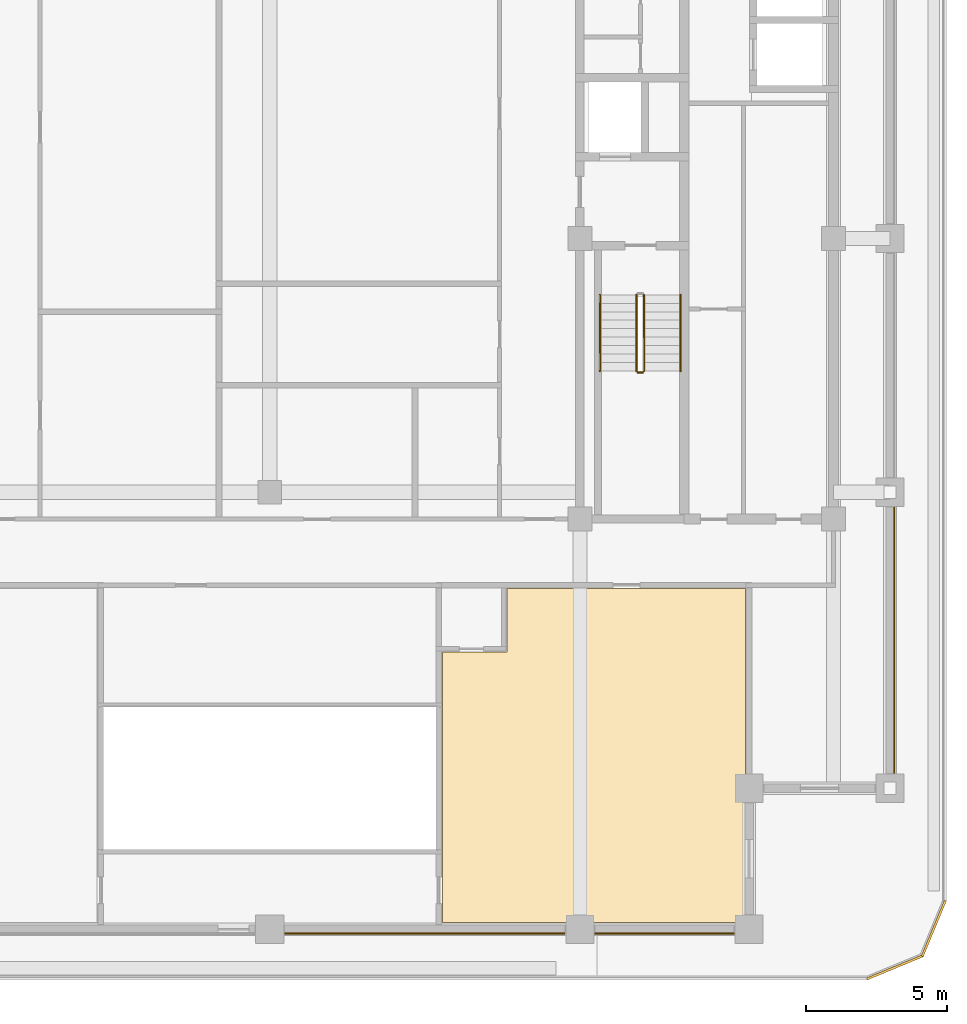
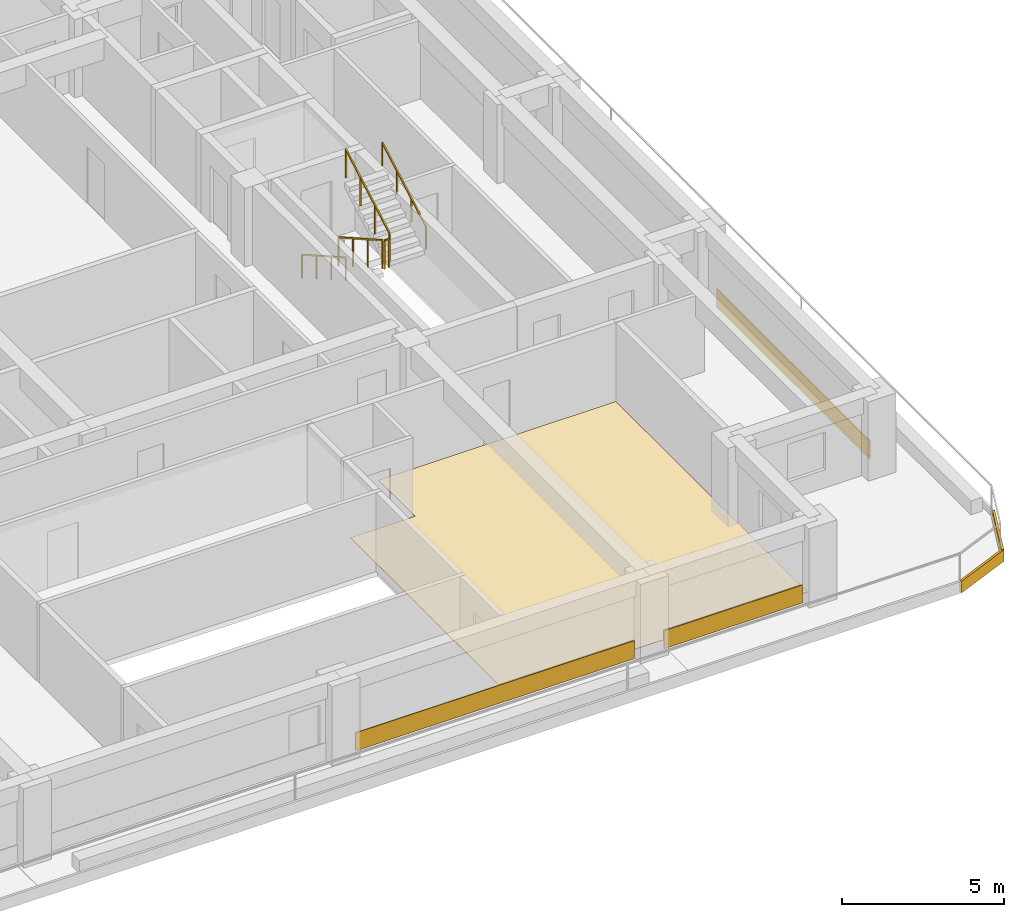
# One storey, part 11 of 13: 6 coverings, 5 railings.
"""IFC4 building model written with IfcOpenShell, lengths in metres."""

from ifc_helpers import new_model, si_unit, direction, frame, frame_2d, origin, origin_2d, place, context, subcontext, project, spatial, polyline, rectangle, outline, extrude, material, layer, layer_set, type_object, element, save


model = new_model("IFC4")

# Units and contexts
model_context = context("Model", 3, precision=1e-05, world=origin(), true_north=direction((0.0, 1.0)))
body_context = subcontext(model_context, "Body", "Model", "MODEL_VIEW")
ifc_project = project(units=[si_unit("LENGTHUNIT", "METRE"), si_unit("AREAUNIT", "SQUARE_METRE"), si_unit("VOLUMEUNIT", "CUBIC_METRE"), si_unit("PLANEANGLEUNIT", "RADIAN"), si_unit("MASSUNIT", "GRAM", prefix="KILO")], contexts=[model_context])

# Site, building, storey
site_placement = place(None, origin())
site = spatial("IfcSite", under=ifc_project, at=site_placement, CompositionType="ELEMENT")
building_placement = place(site_placement, origin())
building = spatial("IfcBuilding", under=site, at=building_placement, Name="Zulmaris Gate Convention Tower", CompositionType="ELEMENT")
storey_placement = place(building_placement, frame((0.0, 0.0, 218.659912109375)))
storey = spatial("IfcBuildingStorey", under=building, at=storey_placement, Name="L57", CompositionType="ELEMENT", Elevation=218.659912109375)

# Coverings
ifc_material_1 = material(Name="Precast concrete C40/50", Category="concrete")
ifc_layer_1 = layer(ifc_material_1, 0.0400390625, Name="Precast concrete C40/50")
ifc_layer_set_1 = layer_set([ifc_layer_1], Name="Precast concrete C40/50")
covering_type_1 = type_object("IfcCoveringType", Name="CLAD-SPANDREL-PRECAST", PredefinedType="CLADDING", material=ifc_layer_set_1)
covering_1_placement = place(storey_placement, frame((0.530029296875, -24.64990234375, 0.0), z_axis=(0.0, 0.0, 1.0), x_axis=(1.0, 0.0, 0.0)))
element("IfcCovering", 1, at=covering_1_placement, inside=storey, type_object=covering_type_1, Name="CLD-L57-S-2_0", PredefinedType="CLADDING", context=body_context, shape_type="SweptSolid", body=[
    extrude(rectangle(XDim=9.93994140625, YDim=0.0400390625, at=frame_2d((4.969970703125, 0.0))), origin(), (0.0, 0.0, 1.0), 0.679931640625),
])
covering_2_placement = place(storey_placement, frame((11.530029296875, -24.64990234375, 0.0), z_axis=(0.0, 0.0, 1.0), x_axis=(1.0, 0.0, 0.0)))
element("IfcCovering", 2, at=covering_2_placement, inside=storey, type_object=covering_type_1, Name="CLD-L57-S-3_0", PredefinedType="CLADDING", context=body_context, shape_type="SweptSolid", body=[
    extrude(rectangle(XDim=4.93994140625, YDim=0.0400390625, at=frame_2d((2.469970703125, 0.0))), origin(), (0.0, 0.0, 1.0), 0.679931640625),
])
covering_3_placement = place(storey_placement, frame((22.14990234375, -18.969970703125, 0.0), z_axis=(0.0, 0.0, 1.0), x_axis=(0.0, 1.0, 0.0)))
element("IfcCovering", 3, at=covering_3_placement, inside=storey, type_object=covering_type_1, Name="CLD-L57-E-0_0", PredefinedType="CLADDING", context=body_context, shape_type="SweptSolid", body=[
    extrude(rectangle(XDim=9.43994140625, YDim=0.0400390625, at=frame_2d((4.719970703125, 0.0))), origin(), (0.0, 0.0, 1.0), 0.679931640625),
])
ifc_material_2 = material(Name="White Glazed Architectural Precast Concrete C40/50", Category="concrete")
ifc_layer_2 = layer(ifc_material_2, 0.080078125, Name="White Glazed Architectural Precast Concrete C40/50")
ifc_layer_set_2 = layer_set([ifc_layer_2], Name="White Glazed Architectural Precast Concrete C40/50")
covering_type_2 = type_object("IfcCoveringType", Name="CLAD-TRAY-FASCIA", PredefinedType="CLADDING", material=ifc_layer_set_2)
covering_4_placement = place(storey_placement, frame((21.184814453125, -26.262939453125, -0.2900390625), z_axis=(0.0, 0.0, 1.0), x_axis=(0.923873803533, 0.382697263049, 0.0)))
element("IfcCovering", 4, at=covering_4_placement, inside=storey, type_object=covering_type_2, Name="FSC-L57-TR-03", PredefinedType="CLADDING", context=body_context, shape_type="SweptSolid", body=[
    extrude(rectangle(XDim=2.142822265625, YDim=0.080078125, at=frame_2d((1.0712890625, 0.0))), origin(), (0.0, 0.0, 1.0), 0.43994140625),
])
covering_5_placement = place(storey_placement, frame((23.142822265625, -25.464599609375, -0.2900390625), z_axis=(0.0, 0.0, 1.0), x_axis=(0.382656984709, 0.923890487046, 0.0)))
element("IfcCovering", 5, at=covering_5_placement, inside=storey, type_object=covering_type_2, Name="FSC-L57-TR-04", PredefinedType="CLADDING", context=body_context, shape_type="SweptSolid", body=[
    extrude(rectangle(XDim=2.14306640625, YDim=0.080078125, at=frame_2d((1.071533203125, 0.0))), origin(), (0.0, 0.0, 1.0), 0.43994140625),
])
ifc_material_3 = material(Name="Engineered Teak Parquet Flooring")
ifc_layer_3 = layer(ifc_material_3, 0.02001953125, Name="Engineered Teak Parquet Flooring")
ifc_layer_set_3 = layer_set([ifc_layer_3], Name="Engineered Teak Parquet Flooring")
covering_type_3 = type_object("IfcCoveringType", Name="FLR-TIMBER-18", PredefinedType="FLOORING", material=ifc_layer_set_3)
covering_6_placement = place(storey_placement, origin())
element("IfcCovering", 6, at=covering_6_placement, inside=storey, type_object=covering_type_3, Name="FLR-L57-R47", PredefinedType="FLOORING", context=body_context, shape_type="SweptSolid", body=[
    extrude(outline(polyline([(6.1201171875, -24.260009765625), (16.8798828125, -24.260009765625), (16.8798828125, -12.419921875), (8.419921875, -12.419921875), (8.419921875, -14.669921875), (6.1201171875, -14.669921875), (6.1201171875, -24.260009765625)])), origin(), (0.0, 0.0, 1.0), 0.02001953125),
])

# Railings
ifc_material_4 = material(Name="Painted Galvanised Steel", Category="steel")
railing_type_1 = type_object("IfcRailingType", Name="RL-STG-1150", PredefinedType="GUARDRAIL", material=ifc_material_4)
railing_1_placement = place(storey_placement, frame((13.010009765625, -2.0, 0.169921875)))
element("IfcRailing", 7, at=railing_1_placement, inside=storey, type_object=railing_type_1, Name="L57 ST-2 stair guard 1", PredefinedType="GUARDRAIL", context=body_context, shape_type="SweptSolid", body=[
    extrude(rectangle(XDim=0.048095703125, YDim=0.048095703125, at=origin_2d()), frame((0.0, 0.0, 1.076171875), z_axis=(0.0, -0.869980566543, 0.493086010588), x_axis=(1.0, 0.0, 0.0)), (0.0, 0.0, 1.0), 3.103515625),
    extrude(rectangle(XDim=0.0419921875, YDim=0.0419921875, at=origin_2d()), origin(), (0.0, 0.0, 1.0), 1.052001953125),
    extrude(rectangle(XDim=0.0419921875, YDim=0.0419921875, at=origin_2d()), frame((0.0, -0.89990234375, 0.510009765625)), (0.0, 0.0, 1.0), 1.052001953125),
    extrude(rectangle(XDim=0.0419921875, YDim=0.0419921875, at=origin_2d()), frame((0.0, -1.800048828125, 1.020263671875)), (0.0, 0.0, 1.0), 1.052001953125),
    extrude(rectangle(XDim=0.0419921875, YDim=0.0419921875, at=origin_2d()), frame((0.0, -2.699951171875, 1.5302734375)), (0.0, 0.0, 1.0), 1.052001953125),
])
railing_2_placement = place(storey_placement, frame((13.06005859375, -4.75, 1.7001953125)))
element("IfcRailing", 8, at=railing_2_placement, inside=storey, type_object=railing_type_1, Name="L57 ST-2 stair guard 2", PredefinedType="GUARDRAIL", context=body_context, shape_type="SweptSolid", body=[
    extrude(rectangle(XDim=0.048095703125, YDim=0.048095703125, at=origin_2d()), frame((0.0, 0.0, 1.076171875), z_axis=(1.0, 0.0, 0.0), x_axis=(0.0, 1.0, 0.0)), (0.0, 0.0, 1.0), 0.159912109375),
    extrude(rectangle(XDim=0.0419921875, YDim=0.0419921875, at=origin_2d()), origin(), (0.0, 0.0, 1.0), 1.052001953125),
    extrude(rectangle(XDim=0.0419921875, YDim=0.0419921875, at=origin_2d()), frame((0.159912109375, 0.0, 0.0)), (0.0, 0.0, 1.0), 1.052001953125),
])
railing_3_placement = place(storey_placement, frame((13.27001953125, -4.699951171875, 1.8701171875)))
element("IfcRailing", 9, at=railing_3_placement, inside=storey, type_object=railing_type_1, Name="L57 ST-2 stair guard 3", PredefinedType="GUARDRAIL", context=body_context, shape_type="SweptSolid", body=[
    extrude(rectangle(XDim=0.048095703125, YDim=0.048095703125, at=origin_2d()), frame((0.0, 0.0, 1.076171875), z_axis=(0.0, 0.870014312096, 0.49302646658), x_axis=(-1.0, 0.0, 0.0)), (0.0, 0.0, 1.0), 3.103271484375),
    extrude(rectangle(XDim=0.0419921875, YDim=0.0419921875, at=origin_2d()), origin(), (0.0, 0.0, 1.0), 1.052001953125),
    extrude(rectangle(XDim=0.0419921875, YDim=0.0419921875, at=origin_2d()), frame((0.0, 0.89990234375, 0.510009765625)), (0.0, 0.0, 1.0), 1.052001953125),
    extrude(rectangle(XDim=0.0419921875, YDim=0.0419921875, at=origin_2d()), frame((0.0, 1.800048828125, 1.02001953125)), (0.0, 0.0, 1.0), 1.052001953125),
    extrude(rectangle(XDim=0.0419921875, YDim=0.0419921875, at=origin_2d()), frame((0.0, 2.699951171875, 1.530029296875)), (0.0, 0.0, 1.0), 1.052001953125),
])
ifc_material_5 = material(Name="Brushed Stainless Steel", Category="steel")
railing_type_2 = type_object("IfcRailingType", Name="RL-STH-900", PredefinedType="HANDRAIL", material=ifc_material_5)
railing_4_placement = place(storey_placement, frame((11.7099609375, -2.0, 0.169921875)))
element("IfcRailing", 10, at=railing_4_placement, inside=storey, type_object=railing_type_2, Name="L57 ST-2 stair handrail 1", PredefinedType="HANDRAIL", context=body_context, shape_type="SweptSolid", body=[
    extrude(rectangle(XDim=0.048095703125, YDim=0.048095703125, at=origin_2d()), frame((0.0, 0.0, 0.8759765625), z_axis=(0.0, -0.869980566543, 0.493086010588), x_axis=(1.0, 0.0, 0.0)), (0.0, 0.0, 1.0), 3.103515625),
    extrude(rectangle(XDim=0.0419921875, YDim=0.0419921875, at=origin_2d()), origin(), (0.0, 0.0, 1.0), 0.851806640625),
    extrude(rectangle(XDim=0.0419921875, YDim=0.0419921875, at=origin_2d()), frame((0.0, -0.89990234375, 0.510009765625)), (0.0, 0.0, 1.0), 0.851806640625),
    extrude(rectangle(XDim=0.0419921875, YDim=0.0419921875, at=origin_2d()), frame((0.0, -1.800048828125, 1.020263671875)), (0.0, 0.0, 1.0), 0.851806640625),
    extrude(rectangle(XDim=0.0419921875, YDim=0.0419921875, at=origin_2d()), frame((0.0, -2.699951171875, 1.5302734375)), (0.0, 0.0, 1.0), 0.851806640625),
])
railing_5_placement = place(storey_placement, frame((14.570068359375, -4.699951171875, 1.8701171875)))
element("IfcRailing", 11, at=railing_5_placement, inside=storey, type_object=railing_type_2, Name="L57 ST-2 stair handrail 2", PredefinedType="HANDRAIL", context=body_context, shape_type="SweptSolid", body=[
    extrude(rectangle(XDim=0.048095703125, YDim=0.048095703125, at=origin_2d()), frame((0.0, 0.0, 0.8759765625), z_axis=(0.0, 0.870014312096, 0.49302646658), x_axis=(-1.0, 0.0, 0.0)), (0.0, 0.0, 1.0), 3.103271484375),
    extrude(rectangle(XDim=0.0419921875, YDim=0.0419921875, at=origin_2d()), origin(), (0.0, 0.0, 1.0), 0.851806640625),
    extrude(rectangle(XDim=0.0419921875, YDim=0.0419921875, at=origin_2d()), frame((0.0, 0.89990234375, 0.510009765625)), (0.0, 0.0, 1.0), 0.851806640625),
    extrude(rectangle(XDim=0.0419921875, YDim=0.0419921875, at=origin_2d()), frame((0.0, 1.800048828125, 1.02001953125)), (0.0, 0.0, 1.0), 0.851806640625),
    extrude(rectangle(XDim=0.0419921875, YDim=0.0419921875, at=origin_2d()), frame((0.0, 2.699951171875, 1.530029296875)), (0.0, 0.0, 1.0), 0.851806640625),
])

save(model, "model.ifc")
